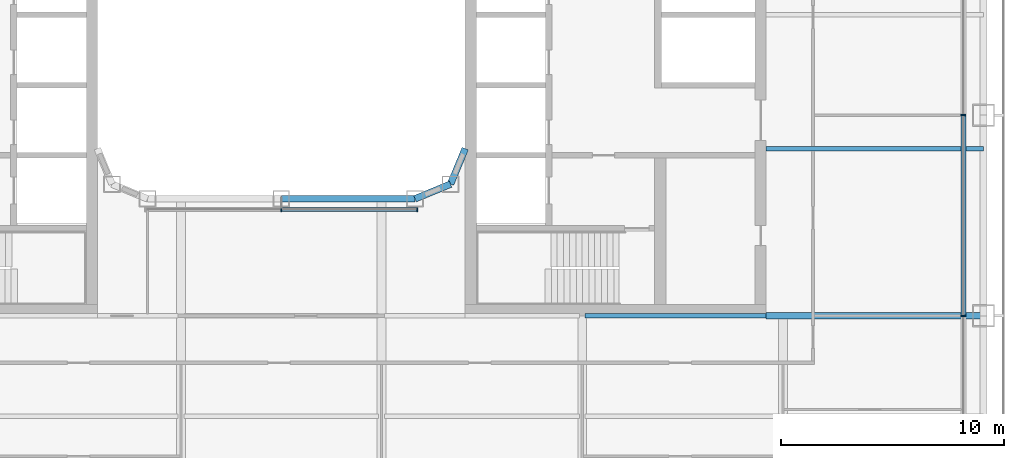
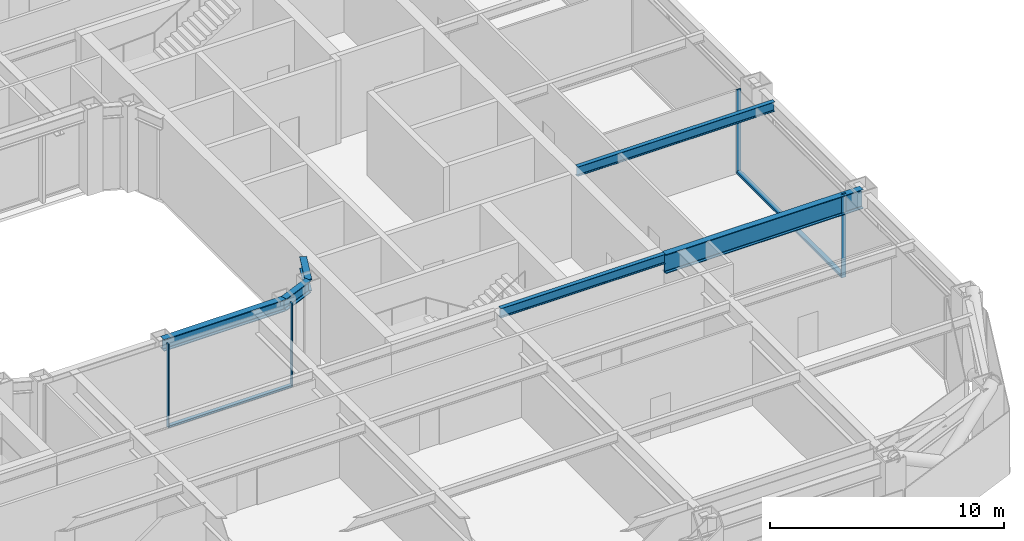
# One storey, part 5 of 27: 6 beams, 6 members, 2 elements without a shape of their own.
"""IFC4 building model written with IfcOpenShell, lengths in metres."""

from ifc_helpers import new_model, si_unit, direction, frame, origin, origin_2d, place, context, subcontext, project, spatial, rectangle, i_section, extrude, material, layer, layer_set, material_profile, profile_set, type_object, element, aggregate, save


model = new_model("IFC4")

# Units and contexts
model_context = context("Model", 3, precision=1e-05, world=origin(), true_north=direction((0.0, 1.0)))
body_context = subcontext(model_context, "Body", "Model", "MODEL_VIEW")
ifc_project = project(units=[si_unit("LENGTHUNIT", "METRE"), si_unit("AREAUNIT", "SQUARE_METRE"), si_unit("VOLUMEUNIT", "CUBIC_METRE"), si_unit("PLANEANGLEUNIT", "RADIAN"), si_unit("MASSUNIT", "GRAM", prefix="KILO")], contexts=[model_context])

# Site, building, storey
site_placement = place(None, origin())
site = spatial("IfcSite", under=ifc_project, at=site_placement, CompositionType="ELEMENT")
building_placement = place(site_placement, origin())
building = spatial("IfcBuilding", under=site, at=building_placement, Name="Siwar Civic Tower", CompositionType="ELEMENT")
storey_placement = place(building_placement, frame((0.0, 0.0, 53.699951171875)))
storey = spatial("IfcBuildingStorey", under=building, at=storey_placement, Name="L11", CompositionType="ELEMENT", Elevation=53.699951171875)

# Curtain wall, members
ifc_material_1 = material(Name="Aluminium and glass", Category="aluminium")
ifc_layer_1 = layer(ifc_material_1, 0.219970703125)
ifc_layer_set_1 = layer_set([ifc_layer_1], Name="Aluminium and glass")
curtain_wall_type_1 = type_object("IfcCurtainWallType", Name="ENV-CW-A", PredefinedType="NOTDEFINED", material=ifc_layer_set_1)
curtain_wall_1_placement = place(storey_placement, origin())
curtain_wall_1 = element("IfcCurtainWall", 1, at=curtain_wall_1_placement, inside=storey, type_object=curtain_wall_type_1, Name="Curtain wall A E", PredefinedType="NOTDEFINED")
ifc_material_2 = material(Name="Aluminium 6063-T6", Category="aluminium")
ifc_material_profile_1 = material_profile(ifc_material_2, rectangle(XDim=0.219970703125, YDim=0.070068359375, at=origin_2d()), Name="AL 220x70")
ifc_profile_set_1 = profile_set([ifc_material_profile_1], Name="Aluminium 6063-T6")
member_type_1 = type_object("IfcMemberType", Name="ENV-MULLION-A", PredefinedType="MULLION", material=ifc_profile_set_1)
member_1_placement = place(storey_placement, frame((30.60009765625, -13.5, 0.0), z_axis=(0.0, 0.0, 1.0), x_axis=(-1.0, 0.0, 0.0)))
member_1 = element("IfcMember", 2, at=member_1_placement, type_object=member_type_1, Name="Mullion A E 2", PredefinedType="MULLION", context=body_context, shape_type="SweptSolid", body=[
    extrude(rectangle(XDim=0.219970703125, YDim=0.070068359375, at=origin_2d()), origin(), (0.0, 0.0, 1.0), 4.35009765625),
])
member_2_placement = place(storey_placement, frame((30.60009765625, -4.5, 0.0), z_axis=(0.0, 0.0, 1.0), x_axis=(-1.0, 0.0, 0.0)))
member_2 = element("IfcMember", 3, at=member_2_placement, type_object=member_type_1, Name="Mullion A E 3", PredefinedType="MULLION", context=body_context, shape_type="SweptSolid", body=[
    extrude(rectangle(XDim=0.219970703125, YDim=0.070068359375, at=origin_2d()), origin(), (0.0, 0.0, 1.0), 4.35009765625),
])

ifc_material_3 = material(Name="Aluminium and glass", Category="aluminium")
ifc_layer_2 = layer(ifc_material_3, 0.179931640625)
ifc_layer_set_2 = layer_set([ifc_layer_2], Name="Aluminium and glass")
curtain_wall_type_2 = type_object("IfcCurtainWallType", Name="ENV-CW-W", PredefinedType="NOTDEFINED", material=ifc_layer_set_2)
curtain_wall_2_placement = place(storey_placement, origin())
curtain_wall_2 = element("IfcCurtainWall", 4, at=curtain_wall_2_placement, inside=storey, type_object=curtain_wall_type_2, Name="Curtain wall W WS", PredefinedType="NOTDEFINED")
ifc_material_4 = material(Name="Aluminium 6063-T6", Category="aluminium")
ifc_material_profile_2 = material_profile(ifc_material_4, rectangle(XDim=0.179931640625, YDim=0.06005859375, at=origin_2d()), Name="AL 180x60")
ifc_profile_set_2 = profile_set([ifc_material_profile_2], Name="Aluminium 6063-T6")
member_type_2 = type_object("IfcMemberType", Name="ENV-MULLION-W", PredefinedType="MULLION", material=ifc_profile_set_2)
member_3_placement = place(storey_placement, frame((0.0, -8.735107421875, 0.0), z_axis=(0.0, 0.0, 1.0), x_axis=(0.0, 1.0, 0.0)))
member_3 = element("IfcMember", 5, at=member_3_placement, type_object=member_type_2, Name="Mullion W WS 2", PredefinedType="MULLION", context=body_context, shape_type="SweptSolid", body=[
    extrude(rectangle(XDim=0.179931640625, YDim=0.06005859375, at=origin_2d()), origin(), (0.0, 0.0, 1.0), 4.35009765625),
])
member_4_placement = place(storey_placement, frame((6.096435546875, -8.735107421875, 0.0), z_axis=(0.0, 0.0, 1.0), x_axis=(0.0, 1.0, 0.0)))
member_4 = element("IfcMember", 6, at=member_4_placement, type_object=member_type_2, Name="Mullion W WS 3", PredefinedType="MULLION", context=body_context, shape_type="SweptSolid", body=[
    extrude(rectangle(XDim=0.179931640625, YDim=0.06005859375, at=origin_2d()), origin(), (0.0, 0.0, 1.0), 4.35009765625),
])

# Member
ifc_material_5 = material(Name="Aluminium 6063-T6", Category="aluminium")
ifc_material_profile_3 = material_profile(ifc_material_5, rectangle(XDim=0.219970703125, YDim=0.1201171875, at=origin_2d()), Name="AL 220x120")
ifc_profile_set_3 = profile_set([ifc_material_profile_3], Name="Aluminium 6063-T6")
member_type_3 = type_object("IfcMemberType", Name="ENV-TRANSOM-A", PredefinedType="USERDEFINED", material=ifc_profile_set_3)
member_5_placement = place(storey_placement, frame((30.60009765625, -13.465087890625, 0.06005859375), z_axis=(0.0, 1.0, 0.0), x_axis=(-1.0, 0.0, 0.0)))
member_5 = element("IfcMember", 7, at=member_5_placement, type_object=member_type_3, Name="Transom A E 2", ObjectType="TRANSOM", PredefinedType="USERDEFINED", context=body_context, shape_type="SweptSolid", body=[
    extrude(rectangle(XDim=0.219970703125, YDim=0.1201171875, at=origin_2d()), origin(), (0.0, 0.0, 1.0), 8.93017578125),
])

aggregate(curtain_wall_1, [member_1, member_2, member_5])

ifc_material_6 = material(Name="Aluminium 6063-T6", Category="aluminium")
ifc_material_profile_4 = material_profile(ifc_material_6, rectangle(XDim=0.179931640625, YDim=0.10009765625, at=origin_2d()), Name="AL 180x100")
ifc_profile_set_4 = profile_set([ifc_material_profile_4], Name="Aluminium 6063-T6")
member_type_4 = type_object("IfcMemberType", Name="ENV-TRANSOM-W", PredefinedType="USERDEFINED", material=ifc_profile_set_4)
member_6_placement = place(storey_placement, frame((0.030029296875, -8.735107421875, 0.050048828125), z_axis=(1.0, 0.0, 0.0), x_axis=(0.0, 1.0, 0.0)))
member_6 = element("IfcMember", 8, at=member_6_placement, type_object=member_type_4, Name="Transom W WS 2", ObjectType="TRANSOM", PredefinedType="USERDEFINED", context=body_context, shape_type="SweptSolid", body=[
    extrude(rectangle(XDim=0.179931640625, YDim=0.10009765625, at=origin_2d()), origin(), (0.0, 0.0, 1.0), 6.036376953125),
])

aggregate(curtain_wall_2, [member_3, member_4, member_6])

# Beams
ifc_material_7 = material(Name="Steel S355", Category="steel")
ifc_material_profile_5 = material_profile(ifc_material_7, i_section(OverallWidth=0.199951171875, OverallDepth=0.5, WebThickness=0.01025390625, FlangeThickness=0.01611328125, FilletRadius=0.02099609375, at=origin_2d()), Name="IPE500")
ifc_profile_set_5 = profile_set([ifc_material_profile_5], Name="Steel S355")
beam_type_1 = type_object("IfcBeamType", Name="STR-FB-IPE500", PredefinedType="JOIST", material=ifc_profile_set_5)
beam_1_placement = place(storey_placement, frame((13.6298828125, -13.5, 4.10009765625), z_axis=(1.0, 0.0, 0.0), x_axis=(0.0, 1.0, 0.0)))
element("IfcBeam", 9, at=beam_1_placement, inside=storey, type_object=beam_type_1, Name="L11/bm/F029", PredefinedType="JOIST", context=body_context, shape_type="SweptSolid", body=[
    extrude(i_section(OverallWidth=0.199951171875, OverallDepth=0.5, WebThickness=0.01025390625, FlangeThickness=0.01611328125, FilletRadius=0.02099609375, at=origin_2d()), origin(), (0.0, 0.0, 1.0), 8.1201171875),
])
beam_2_placement = place(storey_placement, frame((21.75, -6.0, 4.10009765625), z_axis=(1.0, 0.0, 0.0), x_axis=(0.0, 1.0, 0.0)))
element("IfcBeam", 10, at=beam_2_placement, inside=storey, type_object=beam_type_1, Name="L11/bm/F032", PredefinedType="JOIST", context=body_context, shape_type="SweptSolid", body=[
    extrude(i_section(OverallWidth=0.199951171875, OverallDepth=0.5, WebThickness=0.01025390625, FlangeThickness=0.01611328125, FilletRadius=0.02099609375, at=origin_2d()), origin(), (0.0, 0.0, 1.0), 9.75),
])
ifc_material_8 = material(Name="Steel S355", Category="steel")
ifc_material_profile_6 = material_profile(ifc_material_8, i_section(OverallWidth=0.300048828125, OverallDepth=1.0, WebThickness=0.01904296875, FlangeThickness=0.035888671875, FilletRadius=0.030029296875, at=origin_2d()), Name="HEB1000")
ifc_profile_set_6 = profile_set([ifc_material_profile_6], Name="Steel S355")
beam_type_2 = type_object("IfcBeamType", Name="STR-PG-HEB1000", PredefinedType="BEAM", material=ifc_profile_set_6)
beam_3_placement = place(storey_placement, frame((21.75, -13.5, 3.85009765625), z_axis=(1.0, 0.0, 0.0), x_axis=(0.0, 1.0, 0.0)))
element("IfcBeam", 11, at=beam_3_placement, inside=storey, type_object=beam_type_2, Name="L11/bm/F030", PredefinedType="BEAM", context=body_context, shape_type="SweptSolid", body=[
    extrude(i_section(OverallWidth=0.300048828125, OverallDepth=1.0, WebThickness=0.01904296875, FlangeThickness=0.035888671875, FilletRadius=0.030029296875, at=origin_2d()), origin(), (0.0, 0.0, 1.0), 9.75),
])
ifc_material_9 = material(Name="Steel S355", Category="steel")
ifc_material_profile_7 = material_profile(ifc_material_9, i_section(OverallWidth=0.304931640625, OverallDepth=0.6201171875, WebThickness=0.02099609375, FlangeThickness=0.0400390625, FilletRadius=0.027099609375, at=origin_2d()), Name="HEM600")
ifc_profile_set_7 = profile_set([ifc_material_profile_7], Name="Steel S355")
beam_type_3 = type_object("IfcBeamType", Name="STR-RB-HEM600", PredefinedType="BEAM", material=ifc_profile_set_7)
beam_4_placement = place(storey_placement, frame((0.0, -8.25, 4.0400390625), z_axis=(1.0, 0.0, 0.0), x_axis=(0.0, 1.0, 0.0)))
element("IfcBeam", 12, at=beam_4_placement, inside=storey, type_object=beam_type_3, Name="L11/bm/RS2", PredefinedType="BEAM", context=body_context, shape_type="SweptSolid", body=[
    extrude(i_section(OverallWidth=0.304931640625, OverallDepth=0.6201171875, WebThickness=0.02099609375, FlangeThickness=0.0400390625, FilletRadius=0.027099609375, at=origin_2d()), origin(), (0.0, 0.0, 1.0), 6.0),
])
for number, where, z_axis, x_axis, name in (
    (13, (6.0, -8.25, 4.0400390625), (0.923901072997, 0.382631424892, 0.0), (-0.382631424892, 0.923901072997, 0.0), "L11/bm/RS3"),
    (14, (7.591064453125, -7.591064453125, 4.0400390625), (0.382631424892, 0.923901072997, 0.0), (-0.923901072997, 0.382631424892, 0.0), "L11/bm/RSEE"),
):
    element("IfcBeam", number, at=place(storey_placement, frame(where, z_axis=z_axis, x_axis=x_axis)), inside=storey, type_object=beam_type_3, Name=name, PredefinedType="BEAM", context=body_context, shape_type="SweptSolid", body=[
        extrude(i_section(OverallWidth=0.304931640625, OverallDepth=0.6201171875, WebThickness=0.02099609375, FlangeThickness=0.0400390625, FilletRadius=0.027099609375, at=origin_2d()), origin(), (0.0, 0.0, 1.0), 1.72216796875),
    ])

save(model, "model.ifc")
